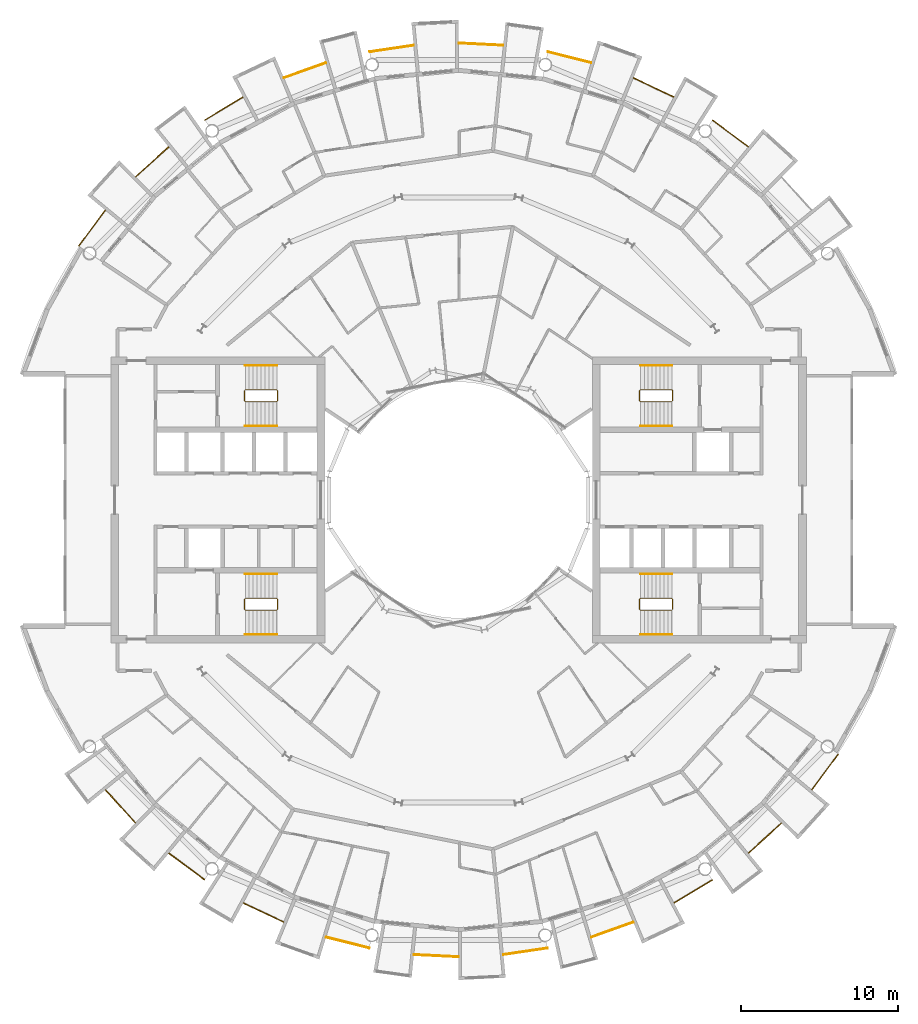
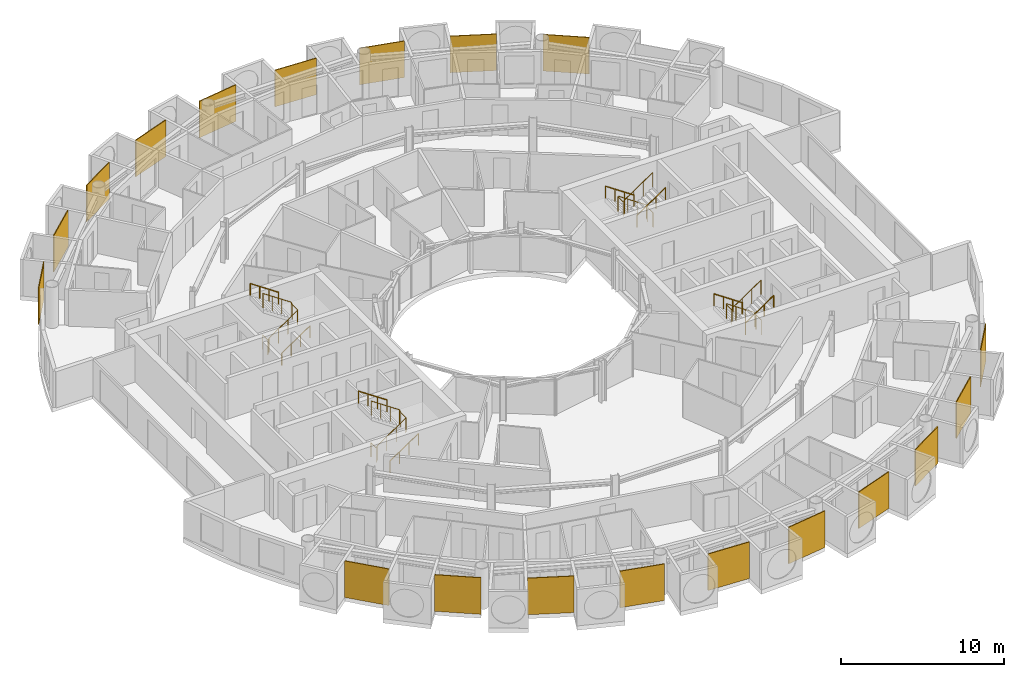
# One storey, part 26 of 27: 31 railings.
"""IFC4 building model written with IfcOpenShell, lengths in metres."""

from ifc_helpers import new_model, si_unit, direction, frame, origin, origin_2d, place, context, subcontext, project, spatial, polyline, circle, outline, extrude, material, layer, layer_set, type_object, element, save


model = new_model("IFC4")

# Units and contexts
model_context = context("Model", 3, precision=1e-05, world=origin(), true_north=direction((0.0, 1.0)))
body_context = subcontext(model_context, "Body", "Model", "MODEL_VIEW")
ifc_project = project(units=[si_unit("LENGTHUNIT", "METRE"), si_unit("AREAUNIT", "SQUARE_METRE"), si_unit("VOLUMEUNIT", "CUBIC_METRE"), si_unit("PLANEANGLEUNIT", "RADIAN"), si_unit("MASSUNIT", "GRAM", prefix="KILO")], contexts=[model_context])

# Site, building, storey
site_placement = place(None, origin())
site = spatial("IfcSite", under=ifc_project, at=site_placement, CompositionType="ELEMENT")
building_placement = place(site_placement, origin())
building = spatial("IfcBuilding", under=site, at=building_placement, Name="Maasbend Ring Residences", CompositionType="ELEMENT")
storey_placement = place(building_placement, frame((0.0, 0.0, 145.199951171875)))
storey = spatial("IfcBuildingStorey", under=building, at=storey_placement, Name="L41", CompositionType="ELEMENT", Elevation=145.199951171875)

# Railings
ifc_material_1 = material(Name="Pale anodised perforated aluminium", Category="aluminium")
ifc_layer = layer(ifc_material_1, 0.06005859375)
ifc_layer_set = layer_set([ifc_layer], Name="SCREEN-P")
railing_type_1 = type_object("IfcRailingType", Name="SCREEN-P", PredefinedType="GUARDRAIL", material=ifc_layer_set)
railing_1_placement = place(storey_placement, frame((0.0, 0.0, -0.030029296875)))
element("IfcRailing", 1, at=railing_1_placement, inside=storey, type_object=railing_type_1, Name="Perforated screen guard 2", PredefinedType="GUARDRAIL", context=body_context, shape_type="SweptSolid", body=[
    extrude(outline(polyline([(18.39697265625, 22.4169921875), (16.112060546875, 24.113037109375), (16.14697265625, 24.160888671875), (18.43310546875, 22.465087890625), (18.39697265625, 22.4169921875)])), origin(), (0.0, 0.0, 1.0), 2.72998046875),
])
railing_2_placement = place(storey_placement, frame((0.0, 0.0, -0.030029296875)))
element("IfcRailing", 2, at=railing_2_placement, inside=storey, type_object=railing_type_1, Name="Perforated screen guard 3", PredefinedType="GUARDRAIL", context=body_context, shape_type="SweptSolid", body=[
    extrude(outline(polyline([(13.6708984375, 25.575927734375), (11.097900390625, 26.79296875), (11.123046875, 26.846923828125), (13.696044921875, 25.6298828125), (13.6708984375, 25.575927734375)])), origin(), (0.0, 0.0, 1.0), 2.72998046875),
])
railing_3_placement = place(storey_placement, frame((0.0, 0.0, -0.030029296875)))
element("IfcRailing", 3, at=railing_3_placement, inside=storey, type_object=railing_type_1, Name="Perforated screen guard 4", PredefinedType="GUARDRAIL", context=body_context, shape_type="SweptSolid", body=[
    extrude(outline(polyline([(8.41796875, 27.7509765625), (5.657958984375, 28.443115234375), (5.672119140625, 28.5009765625), (8.43310546875, 27.80908203125), (8.41796875, 27.7509765625)])), origin(), (0.0, 0.0, 1.0), 2.72998046875),
])
railing_4_placement = place(storey_placement, frame((0.0, 0.0, -0.030029296875)))
element("IfcRailing", 4, at=railing_4_placement, inside=storey, type_object=railing_type_1, Name="Perforated screen guard 5", PredefinedType="GUARDRAIL", context=body_context, shape_type="SweptSolid", body=[
    extrude(outline(polyline([(2.842041015625, 28.860107421875), (0.0, 29.0), (0.0029296875, 29.06005859375), (2.844970703125, 28.919921875), (2.842041015625, 28.860107421875)])), origin(), (0.0, 0.0, 1.0), 2.72998046875),
])
railing_5_placement = place(storey_placement, frame((0.0, 0.0, -0.030029296875)))
element("IfcRailing", 5, at=railing_5_placement, inside=storey, type_object=railing_type_1, Name="Perforated screen guard 6", PredefinedType="GUARDRAIL", context=body_context, shape_type="SweptSolid", body=[
    extrude(outline(polyline([(-2.842041015625, 28.860107421875), (-5.657958984375, 28.443115234375), (-5.666015625, 28.501953125), (-2.85107421875, 28.919921875), (-2.842041015625, 28.860107421875)])), origin(), (0.0, 0.0, 1.0), 2.72998046875),
])
railing_6_placement = place(storey_placement, frame((0.0, 0.0, -0.030029296875)))
element("IfcRailing", 6, at=railing_6_placement, inside=storey, type_object=railing_type_1, Name="Perforated screen guard 7", PredefinedType="GUARDRAIL", context=body_context, shape_type="SweptSolid", body=[
    extrude(outline(polyline([(-8.41796875, 27.7509765625), (-11.097900390625, 26.79296875), (-11.117919921875, 26.84912109375), (-8.43798828125, 27.80810546875), (-8.41796875, 27.7509765625)])), origin(), (0.0, 0.0, 1.0), 2.72998046875),
])
railing_7_placement = place(storey_placement, frame((0.0, 0.0, -0.030029296875)))
element("IfcRailing", 7, at=railing_7_placement, inside=storey, type_object=railing_type_1, Name="Perforated screen guard 8", PredefinedType="GUARDRAIL", context=body_context, shape_type="SweptSolid", body=[
    extrude(outline(polyline([(-13.6708984375, 25.575927734375), (-16.112060546875, 24.113037109375), (-16.14208984375, 24.1640625), (-13.700927734375, 25.626953125), (-13.6708984375, 25.575927734375)])), origin(), (0.0, 0.0, 1.0), 2.72998046875),
])
railing_8_placement = place(storey_placement, frame((0.0, 0.0, -0.030029296875)))
element("IfcRailing", 8, at=railing_8_placement, inside=storey, type_object=railing_type_1, Name="Perforated screen guard 9", PredefinedType="GUARDRAIL", context=body_context, shape_type="SweptSolid", body=[
    extrude(outline(polyline([(-18.39697265625, 22.4169921875), (-20.506103515625, 20.506103515625), (-20.5458984375, 20.551025390625), (-18.43798828125, 22.4619140625), (-18.39697265625, 22.4169921875)])), origin(), (0.0, 0.0, 1.0), 2.72998046875),
])
railing_9_placement = place(storey_placement, frame((0.0, 0.0, -0.030029296875)))
element("IfcRailing", 9, at=railing_9_placement, inside=storey, type_object=railing_type_1, Name="Perforated screen guard 10", PredefinedType="GUARDRAIL", context=body_context, shape_type="SweptSolid", body=[
    extrude(outline(polyline([(-22.4169921875, 18.39697265625), (-24.113037109375, 16.112060546875), (-24.160888671875, 16.14697265625), (-22.465087890625, 18.43310546875), (-22.4169921875, 18.39697265625)])), origin(), (0.0, 0.0, 1.0), 2.72998046875),
])
railing_10_placement = place(storey_placement, frame((0.0, 0.0, -0.030029296875)))
element("IfcRailing", 10, at=railing_10_placement, inside=storey, type_object=railing_type_1, Name="Perforated screen guard 1", PredefinedType="GUARDRAIL", context=body_context, shape_type="SweptSolid", body=[
    extrude(outline(polyline([(-22.4169921875, -18.39697265625), (-20.506103515625, -20.506103515625), (-20.551025390625, -20.5458984375), (-22.4619140625, -18.43798828125), (-22.4169921875, -18.39697265625)])), origin(), (0.0, 0.0, 1.0), 2.72998046875),
])
railing_11_placement = place(storey_placement, frame((0.0, 0.0, -0.030029296875)))
element("IfcRailing", 11, at=railing_11_placement, inside=storey, type_object=railing_type_1, Name="Perforated screen guard 2", PredefinedType="GUARDRAIL", context=body_context, shape_type="SweptSolid", body=[
    extrude(outline(polyline([(-18.39697265625, -22.4169921875), (-16.112060546875, -24.113037109375), (-16.14697265625, -24.160888671875), (-18.43310546875, -22.465087890625), (-18.39697265625, -22.4169921875)])), origin(), (0.0, 0.0, 1.0), 2.72998046875),
])
railing_12_placement = place(storey_placement, frame((0.0, 0.0, -0.030029296875)))
element("IfcRailing", 12, at=railing_12_placement, inside=storey, type_object=railing_type_1, Name="Perforated screen guard 3", PredefinedType="GUARDRAIL", context=body_context, shape_type="SweptSolid", body=[
    extrude(outline(polyline([(-13.6708984375, -25.575927734375), (-11.097900390625, -26.79296875), (-11.123046875, -26.846923828125), (-13.696044921875, -25.6298828125), (-13.6708984375, -25.575927734375)])), origin(), (0.0, 0.0, 1.0), 2.72998046875),
])
railing_13_placement = place(storey_placement, frame((0.0, 0.0, -0.030029296875)))
element("IfcRailing", 13, at=railing_13_placement, inside=storey, type_object=railing_type_1, Name="Perforated screen guard 4", PredefinedType="GUARDRAIL", context=body_context, shape_type="SweptSolid", body=[
    extrude(outline(polyline([(-8.41796875, -27.7509765625), (-5.657958984375, -28.443115234375), (-5.672119140625, -28.5009765625), (-8.43310546875, -27.80908203125), (-8.41796875, -27.7509765625)])), origin(), (0.0, 0.0, 1.0), 2.72998046875),
])
railing_14_placement = place(storey_placement, frame((0.0, 0.0, -0.030029296875)))
element("IfcRailing", 14, at=railing_14_placement, inside=storey, type_object=railing_type_1, Name="Perforated screen guard 5", PredefinedType="GUARDRAIL", context=body_context, shape_type="SweptSolid", body=[
    extrude(outline(polyline([(-2.842041015625, -28.860107421875), (0.0, -29.0), (-0.0029296875, -29.06005859375), (-2.844970703125, -28.919921875), (-2.842041015625, -28.860107421875)])), origin(), (0.0, 0.0, 1.0), 2.72998046875),
])
railing_15_placement = place(storey_placement, frame((0.0, 0.0, -0.030029296875)))
element("IfcRailing", 15, at=railing_15_placement, inside=storey, type_object=railing_type_1, Name="Perforated screen guard 6", PredefinedType="GUARDRAIL", context=body_context, shape_type="SweptSolid", body=[
    extrude(outline(polyline([(2.842041015625, -28.860107421875), (5.657958984375, -28.443115234375), (5.666015625, -28.501953125), (2.85107421875, -28.919921875), (2.842041015625, -28.860107421875)])), origin(), (0.0, 0.0, 1.0), 2.72998046875),
])
railing_16_placement = place(storey_placement, frame((0.0, 0.0, -0.030029296875)))
element("IfcRailing", 16, at=railing_16_placement, inside=storey, type_object=railing_type_1, Name="Perforated screen guard 7", PredefinedType="GUARDRAIL", context=body_context, shape_type="SweptSolid", body=[
    extrude(outline(polyline([(8.41796875, -27.7509765625), (11.097900390625, -26.79296875), (11.117919921875, -26.84912109375), (8.43798828125, -27.80810546875), (8.41796875, -27.7509765625)])), origin(), (0.0, 0.0, 1.0), 2.72998046875),
])
railing_17_placement = place(storey_placement, frame((0.0, 0.0, -0.030029296875)))
element("IfcRailing", 17, at=railing_17_placement, inside=storey, type_object=railing_type_1, Name="Perforated screen guard 8", PredefinedType="GUARDRAIL", context=body_context, shape_type="SweptSolid", body=[
    extrude(outline(polyline([(13.6708984375, -25.575927734375), (16.112060546875, -24.113037109375), (16.14208984375, -24.1640625), (13.700927734375, -25.626953125), (13.6708984375, -25.575927734375)])), origin(), (0.0, 0.0, 1.0), 2.72998046875),
])
railing_18_placement = place(storey_placement, frame((0.0, 0.0, -0.030029296875)))
element("IfcRailing", 18, at=railing_18_placement, inside=storey, type_object=railing_type_1, Name="Perforated screen guard 9", PredefinedType="GUARDRAIL", context=body_context, shape_type="SweptSolid", body=[
    extrude(outline(polyline([(18.39697265625, -22.4169921875), (20.506103515625, -20.506103515625), (20.5458984375, -20.551025390625), (18.43798828125, -22.4619140625), (18.39697265625, -22.4169921875)])), origin(), (0.0, 0.0, 1.0), 2.72998046875),
])
railing_19_placement = place(storey_placement, frame((0.0, 0.0, -0.030029296875)))
element("IfcRailing", 19, at=railing_19_placement, inside=storey, type_object=railing_type_1, Name="Perforated screen guard 10", PredefinedType="GUARDRAIL", context=body_context, shape_type="SweptSolid", body=[
    extrude(outline(polyline([(22.4169921875, -18.39697265625), (24.113037109375, -16.112060546875), (24.160888671875, -16.14697265625), (22.465087890625, -18.43310546875), (22.4169921875, -18.39697265625)])), origin(), (0.0, 0.0, 1.0), 2.72998046875),
])
ifc_material_2 = material(Name="Stainless steel 316", Category="steel")
railing_type_2 = type_object("IfcRailingType", Name="STAIR GUARD 1100", PredefinedType="GUARDRAIL", material=ifc_material_2)
railing_20_placement = place(storey_placement, frame((13.60009765625, 6.300048828125, 0.0)))
element("IfcRailing", 20, at=railing_20_placement, inside=storey, type_object=railing_type_2, Name="L41 ST-E1 stair guard 1", PredefinedType="GUARDRAIL", context=body_context, shape_type="SweptSolid", body=[
    extrude(circle(Radius=0.02392578125, at=origin_2d()), frame((0.0, 0.0, 1.076171875), z_axis=(0.0, 1.0, 0.0), x_axis=(-1.0, 0.0, 0.0)), (0.0, 0.0, 1.0), 0.64990234375),
    extrude(circle(Radius=0.02392578125, at=origin_2d()), frame((0.0, 0.64990234375, 1.076171875), z_axis=(-0.272562526181, 0.272562526181, 0.92272386912), x_axis=(-0.707106781187, -0.707106781187, 0.0)), (0.0, 0.0, 1.0), 0.18359375),
    extrude(circle(Radius=0.02392578125, at=origin_2d()), frame((-0.050048828125, 0.699951171875, 1.24560546875), z_axis=(-0.827750655447, 0.0, 0.561096116906), x_axis=(0.0, -1.0, 0.0)), (0.0, 0.0, 1.0), 2.416259765625),
    extrude(circle(Radius=0.02392578125, at=origin_2d()), frame((-2.050048828125, 0.699951171875, 2.60107421875), z_axis=(-0.707106781187, -0.707106781187, 0.0), x_axis=(0.707106781187, -0.707106781187, 0.0)), (0.0, 0.0, 1.0), 0.07080078125),
    extrude(circle(Radius=0.02392578125, at=origin_2d()), frame((-2.10009765625, 0.64990234375, 2.60107421875), z_axis=(0.0, -1.0, 0.0), x_axis=(1.0, 0.0, 0.0)), (0.0, 0.0, 1.0), 0.64990234375),
    extrude(circle(Radius=0.02392578125, at=origin_2d()), frame((-2.10009765625, 0.0, 2.60107421875), z_axis=(0.272562526181, -0.272562526181, 0.92272386912), x_axis=(0.707106781187, 0.707106781187, 0.0)), (0.0, 0.0, 1.0), 0.18359375),
    extrude(circle(Radius=0.02392578125, at=origin_2d()), frame((-2.050048828125, -0.050048828125, 2.7705078125), z_axis=(0.827797584762, 0.0, 0.561026878735), x_axis=(0.0, 1.0, 0.0)), (0.0, 0.0, 1.0), 2.416015625),
    extrude(circle(Radius=0.02099609375, at=origin_2d()), origin(), (0.0, 0.0, 1.0), 1.052001953125),
    extrude(circle(Radius=0.02099609375, at=origin_2d()), frame((0.0, 0.64990234375, 0.0)), (0.0, 0.0, 1.0), 1.052001953125),
    extrude(circle(Radius=0.02099609375, at=origin_2d()), frame((-0.050048828125, 0.699951171875, 0.16943359375)), (0.0, 0.0, 1.0), 1.052001953125),
    extrude(circle(Radius=0.02099609375, at=origin_2d()), frame((-0.716796875, 0.699951171875, 0.621337890625)), (0.0, 0.0, 1.0), 1.052001953125),
    extrude(circle(Radius=0.02099609375, at=origin_2d()), frame((-1.38330078125, 0.699951171875, 1.0732421875)), (0.0, 0.0, 1.0), 1.052001953125),
    extrude(circle(Radius=0.02099609375, at=origin_2d()), frame((-2.050048828125, 0.699951171875, 1.525146484375)), (0.0, 0.0, 1.0), 1.052001953125),
    extrude(circle(Radius=0.02099609375, at=origin_2d()), frame((-2.10009765625, 0.64990234375, 1.525146484375)), (0.0, 0.0, 1.0), 1.052001953125),
    extrude(circle(Radius=0.02099609375, at=origin_2d()), frame((-2.10009765625, 0.0, 1.525146484375)), (0.0, 0.0, 1.0), 1.052001953125),
    extrude(circle(Radius=0.02099609375, at=origin_2d()), frame((-2.050048828125, -0.050048828125, 1.694580078125)), (0.0, 0.0, 1.0), 1.052001953125),
    extrude(circle(Radius=0.02099609375, at=origin_2d()), frame((-1.38330078125, -0.050048828125, 2.146484375)), (0.0, 0.0, 1.0), 1.052001953125),
    extrude(circle(Radius=0.02099609375, at=origin_2d()), frame((-0.716796875, -0.050048828125, 2.59814453125)), (0.0, 0.0, 1.0), 1.052001953125),
    extrude(circle(Radius=0.02099609375, at=origin_2d()), frame((-0.050048828125, -0.050048828125, 3.050048828125)), (0.0, 0.0, 1.0), 1.052001953125),
])
railing_21_placement = place(storey_placement, frame((13.60009765625, -6.949951171875, 0.0)))
element("IfcRailing", 21, at=railing_21_placement, inside=storey, type_object=railing_type_2, Name="L41 ST-E2 stair guard 1", PredefinedType="GUARDRAIL", context=body_context, shape_type="SweptSolid", body=[
    extrude(circle(Radius=0.02392578125, at=origin_2d()), frame((0.0, 0.0, 1.076171875), z_axis=(0.0, 1.0, 0.0), x_axis=(-1.0, 0.0, 0.0)), (0.0, 0.0, 1.0), 0.64990234375),
    extrude(circle(Radius=0.02392578125, at=origin_2d()), frame((0.0, 0.64990234375, 1.076171875), z_axis=(-0.272562526181, 0.272562526181, 0.92272386912), x_axis=(-0.707106781187, -0.707106781187, 0.0)), (0.0, 0.0, 1.0), 0.18359375),
    extrude(circle(Radius=0.02392578125, at=origin_2d()), frame((-0.050048828125, 0.699951171875, 1.24560546875), z_axis=(-0.827750655447, 0.0, 0.561096116906), x_axis=(0.0, -1.0, 0.0)), (0.0, 0.0, 1.0), 2.416259765625),
    extrude(circle(Radius=0.02392578125, at=origin_2d()), frame((-2.050048828125, 0.699951171875, 2.60107421875), z_axis=(-0.707106781187, -0.707106781187, 0.0), x_axis=(0.707106781187, -0.707106781187, 0.0)), (0.0, 0.0, 1.0), 0.07080078125),
    extrude(circle(Radius=0.02392578125, at=origin_2d()), frame((-2.10009765625, 0.64990234375, 2.60107421875), z_axis=(0.0, -1.0, 0.0), x_axis=(1.0, 0.0, 0.0)), (0.0, 0.0, 1.0), 0.64990234375),
    extrude(circle(Radius=0.02392578125, at=origin_2d()), frame((-2.10009765625, 0.0, 2.60107421875), z_axis=(0.272562526181, -0.272562526181, 0.92272386912), x_axis=(0.707106781187, 0.707106781187, 0.0)), (0.0, 0.0, 1.0), 0.18359375),
    extrude(circle(Radius=0.02392578125, at=origin_2d()), frame((-2.050048828125, -0.050048828125, 2.7705078125), z_axis=(0.827797584762, 0.0, 0.561026878735), x_axis=(0.0, 1.0, 0.0)), (0.0, 0.0, 1.0), 2.416015625),
    extrude(circle(Radius=0.02099609375, at=origin_2d()), origin(), (0.0, 0.0, 1.0), 1.052001953125),
    extrude(circle(Radius=0.02099609375, at=origin_2d()), frame((0.0, 0.64990234375, 0.0)), (0.0, 0.0, 1.0), 1.052001953125),
    extrude(circle(Radius=0.02099609375, at=origin_2d()), frame((-0.050048828125, 0.699951171875, 0.16943359375)), (0.0, 0.0, 1.0), 1.052001953125),
    extrude(circle(Radius=0.02099609375, at=origin_2d()), frame((-0.716796875, 0.699951171875, 0.621337890625)), (0.0, 0.0, 1.0), 1.052001953125),
    extrude(circle(Radius=0.02099609375, at=origin_2d()), frame((-1.38330078125, 0.699951171875, 1.0732421875)), (0.0, 0.0, 1.0), 1.052001953125),
    extrude(circle(Radius=0.02099609375, at=origin_2d()), frame((-2.050048828125, 0.699951171875, 1.525146484375)), (0.0, 0.0, 1.0), 1.052001953125),
    extrude(circle(Radius=0.02099609375, at=origin_2d()), frame((-2.10009765625, 0.64990234375, 1.525146484375)), (0.0, 0.0, 1.0), 1.052001953125),
    extrude(circle(Radius=0.02099609375, at=origin_2d()), frame((-2.10009765625, 0.0, 1.525146484375)), (0.0, 0.0, 1.0), 1.052001953125),
    extrude(circle(Radius=0.02099609375, at=origin_2d()), frame((-2.050048828125, -0.050048828125, 1.694580078125)), (0.0, 0.0, 1.0), 1.052001953125),
    extrude(circle(Radius=0.02099609375, at=origin_2d()), frame((-1.38330078125, -0.050048828125, 2.146484375)), (0.0, 0.0, 1.0), 1.052001953125),
    extrude(circle(Radius=0.02099609375, at=origin_2d()), frame((-0.716796875, -0.050048828125, 2.59814453125)), (0.0, 0.0, 1.0), 1.052001953125),
    extrude(circle(Radius=0.02099609375, at=origin_2d()), frame((-0.050048828125, -0.050048828125, 3.050048828125)), (0.0, 0.0, 1.0), 1.052001953125),
])
railing_22_placement = place(storey_placement, frame((-13.60009765625, -6.300048828125, 0.0)))
element("IfcRailing", 22, at=railing_22_placement, inside=storey, type_object=railing_type_2, Name="L41 ST-W1 stair guard 1", PredefinedType="GUARDRAIL", context=body_context, shape_type="SweptSolid", body=[
    extrude(circle(Radius=0.02392578125, at=origin_2d()), frame((0.0, 0.0, 1.076171875), z_axis=(0.0, -1.0, 0.0), x_axis=(1.0, 0.0, 0.0)), (0.0, 0.0, 1.0), 0.64990234375),
    extrude(circle(Radius=0.02392578125, at=origin_2d()), frame((0.0, -0.64990234375, 1.076171875), z_axis=(0.272562526181, -0.272562526181, 0.92272386912), x_axis=(0.707106781187, 0.707106781187, 0.0)), (0.0, 0.0, 1.0), 0.18359375),
    extrude(circle(Radius=0.02392578125, at=origin_2d()), frame((0.050048828125, -0.699951171875, 1.24560546875), z_axis=(0.827750655447, 0.0, 0.561096116906), x_axis=(0.0, 1.0, 0.0)), (0.0, 0.0, 1.0), 2.416259765625),
    extrude(circle(Radius=0.02392578125, at=origin_2d()), frame((2.050048828125, -0.699951171875, 2.60107421875), z_axis=(0.707106781187, 0.707106781187, 0.0), x_axis=(-0.707106781187, 0.707106781187, 0.0)), (0.0, 0.0, 1.0), 0.07080078125),
    extrude(circle(Radius=0.02392578125, at=origin_2d()), frame((2.10009765625, -0.64990234375, 2.60107421875), z_axis=(0.0, 1.0, 0.0), x_axis=(-1.0, 0.0, 0.0)), (0.0, 0.0, 1.0), 0.64990234375),
    extrude(circle(Radius=0.02392578125, at=origin_2d()), frame((2.10009765625, 0.0, 2.60107421875), z_axis=(-0.272562526181, 0.272562526181, 0.92272386912), x_axis=(-0.707106781187, -0.707106781187, 0.0)), (0.0, 0.0, 1.0), 0.18359375),
    extrude(circle(Radius=0.02392578125, at=origin_2d()), frame((2.050048828125, 0.050048828125, 2.7705078125), z_axis=(-0.827797584762, 0.0, 0.561026878735), x_axis=(0.0, -1.0, 0.0)), (0.0, 0.0, 1.0), 2.416015625),
    extrude(circle(Radius=0.02099609375, at=origin_2d()), origin(), (0.0, 0.0, 1.0), 1.052001953125),
    extrude(circle(Radius=0.02099609375, at=origin_2d()), frame((0.0, -0.64990234375, 0.0)), (0.0, 0.0, 1.0), 1.052001953125),
    extrude(circle(Radius=0.02099609375, at=origin_2d()), frame((0.050048828125, -0.699951171875, 0.16943359375)), (0.0, 0.0, 1.0), 1.052001953125),
    extrude(circle(Radius=0.02099609375, at=origin_2d()), frame((0.716796875, -0.699951171875, 0.621337890625)), (0.0, 0.0, 1.0), 1.052001953125),
    extrude(circle(Radius=0.02099609375, at=origin_2d()), frame((1.38330078125, -0.699951171875, 1.0732421875)), (0.0, 0.0, 1.0), 1.052001953125),
    extrude(circle(Radius=0.02099609375, at=origin_2d()), frame((2.050048828125, -0.699951171875, 1.525146484375)), (0.0, 0.0, 1.0), 1.052001953125),
    extrude(circle(Radius=0.02099609375, at=origin_2d()), frame((2.10009765625, -0.64990234375, 1.525146484375)), (0.0, 0.0, 1.0), 1.052001953125),
    extrude(circle(Radius=0.02099609375, at=origin_2d()), frame((2.10009765625, 0.0, 1.525146484375)), (0.0, 0.0, 1.0), 1.052001953125),
    extrude(circle(Radius=0.02099609375, at=origin_2d()), frame((2.050048828125, 0.050048828125, 1.694580078125)), (0.0, 0.0, 1.0), 1.052001953125),
    extrude(circle(Radius=0.02099609375, at=origin_2d()), frame((1.38330078125, 0.050048828125, 2.146484375)), (0.0, 0.0, 1.0), 1.052001953125),
    extrude(circle(Radius=0.02099609375, at=origin_2d()), frame((0.716796875, 0.050048828125, 2.59814453125)), (0.0, 0.0, 1.0), 1.052001953125),
    extrude(circle(Radius=0.02099609375, at=origin_2d()), frame((0.050048828125, 0.050048828125, 3.050048828125)), (0.0, 0.0, 1.0), 1.052001953125),
])
railing_23_placement = place(storey_placement, frame((-13.60009765625, 6.949951171875, 0.0)))
element("IfcRailing", 23, at=railing_23_placement, inside=storey, type_object=railing_type_2, Name="L41 ST-W2 stair guard 1", PredefinedType="GUARDRAIL", context=body_context, shape_type="SweptSolid", body=[
    extrude(circle(Radius=0.02392578125, at=origin_2d()), frame((0.0, 0.0, 1.076171875), z_axis=(0.0, -1.0, 0.0), x_axis=(1.0, 0.0, 0.0)), (0.0, 0.0, 1.0), 0.64990234375),
    extrude(circle(Radius=0.02392578125, at=origin_2d()), frame((0.0, -0.64990234375, 1.076171875), z_axis=(0.272562526181, -0.272562526181, 0.92272386912), x_axis=(0.707106781187, 0.707106781187, 0.0)), (0.0, 0.0, 1.0), 0.18359375),
    extrude(circle(Radius=0.02392578125, at=origin_2d()), frame((0.050048828125, -0.699951171875, 1.24560546875), z_axis=(0.827750655447, 0.0, 0.561096116906), x_axis=(0.0, 1.0, 0.0)), (0.0, 0.0, 1.0), 2.416259765625),
    extrude(circle(Radius=0.02392578125, at=origin_2d()), frame((2.050048828125, -0.699951171875, 2.60107421875), z_axis=(0.707106781187, 0.707106781187, 0.0), x_axis=(-0.707106781187, 0.707106781187, 0.0)), (0.0, 0.0, 1.0), 0.07080078125),
    extrude(circle(Radius=0.02392578125, at=origin_2d()), frame((2.10009765625, -0.64990234375, 2.60107421875), z_axis=(0.0, 1.0, 0.0), x_axis=(-1.0, 0.0, 0.0)), (0.0, 0.0, 1.0), 0.64990234375),
    extrude(circle(Radius=0.02392578125, at=origin_2d()), frame((2.10009765625, 0.0, 2.60107421875), z_axis=(-0.272562526181, 0.272562526181, 0.92272386912), x_axis=(-0.707106781187, -0.707106781187, 0.0)), (0.0, 0.0, 1.0), 0.18359375),
    extrude(circle(Radius=0.02392578125, at=origin_2d()), frame((2.050048828125, 0.050048828125, 2.7705078125), z_axis=(-0.827797584762, 0.0, 0.561026878735), x_axis=(0.0, -1.0, 0.0)), (0.0, 0.0, 1.0), 2.416015625),
    extrude(circle(Radius=0.02099609375, at=origin_2d()), origin(), (0.0, 0.0, 1.0), 1.052001953125),
    extrude(circle(Radius=0.02099609375, at=origin_2d()), frame((0.0, -0.64990234375, 0.0)), (0.0, 0.0, 1.0), 1.052001953125),
    extrude(circle(Radius=0.02099609375, at=origin_2d()), frame((0.050048828125, -0.699951171875, 0.16943359375)), (0.0, 0.0, 1.0), 1.052001953125),
    extrude(circle(Radius=0.02099609375, at=origin_2d()), frame((0.716796875, -0.699951171875, 0.621337890625)), (0.0, 0.0, 1.0), 1.052001953125),
    extrude(circle(Radius=0.02099609375, at=origin_2d()), frame((1.38330078125, -0.699951171875, 1.0732421875)), (0.0, 0.0, 1.0), 1.052001953125),
    extrude(circle(Radius=0.02099609375, at=origin_2d()), frame((2.050048828125, -0.699951171875, 1.525146484375)), (0.0, 0.0, 1.0), 1.052001953125),
    extrude(circle(Radius=0.02099609375, at=origin_2d()), frame((2.10009765625, -0.64990234375, 1.525146484375)), (0.0, 0.0, 1.0), 1.052001953125),
    extrude(circle(Radius=0.02099609375, at=origin_2d()), frame((2.10009765625, 0.0, 1.525146484375)), (0.0, 0.0, 1.0), 1.052001953125),
    extrude(circle(Radius=0.02099609375, at=origin_2d()), frame((2.050048828125, 0.050048828125, 1.694580078125)), (0.0, 0.0, 1.0), 1.052001953125),
    extrude(circle(Radius=0.02099609375, at=origin_2d()), frame((1.38330078125, 0.050048828125, 2.146484375)), (0.0, 0.0, 1.0), 1.052001953125),
    extrude(circle(Radius=0.02099609375, at=origin_2d()), frame((0.716796875, 0.050048828125, 2.59814453125)), (0.0, 0.0, 1.0), 1.052001953125),
    extrude(circle(Radius=0.02099609375, at=origin_2d()), frame((0.050048828125, 0.050048828125, 3.050048828125)), (0.0, 0.0, 1.0), 1.052001953125),
])
ifc_material_3 = material(Name="Stainless steel 316", Category="steel")
railing_type_3 = type_object("IfcRailingType", Name="STAIR HANDRAIL 900", PredefinedType="HANDRAIL", material=ifc_material_3)
railing_24_placement = place(storey_placement, frame((13.550048828125, 8.550048828125, 0.16943359375)))
element("IfcRailing", 24, at=railing_24_placement, inside=storey, type_object=railing_type_3, Name="L41 ST-E1 stair handrail 1", PredefinedType="HANDRAIL", context=body_context, shape_type="SweptSolid", body=[
    extrude(circle(Radius=0.02392578125, at=origin_2d()), frame((0.0, 0.0, 0.8759765625), z_axis=(-0.827750655447, 0.0, 0.561096116906), x_axis=(0.0, -1.0, 0.0)), (0.0, 0.0, 1.0), 2.416259765625),
    extrude(circle(Radius=0.02099609375, at=origin_2d()), origin(), (0.0, 0.0, 1.0), 0.851806640625),
    extrude(circle(Radius=0.02099609375, at=origin_2d()), frame((-0.666748046875, 0.0, 0.451904296875)), (0.0, 0.0, 1.0), 0.851806640625),
    extrude(circle(Radius=0.02099609375, at=origin_2d()), frame((-1.333251953125, 0.0, 0.90380859375)), (0.0, 0.0, 1.0), 0.851806640625),
    extrude(circle(Radius=0.02099609375, at=origin_2d()), frame((-2.0, 0.0, 1.355712890625)), (0.0, 0.0, 1.0), 0.851806640625),
])
railing_25_placement = place(storey_placement, frame((11.550048828125, 4.699951171875, 1.694580078125)))
element("IfcRailing", 25, at=railing_25_placement, inside=storey, type_object=railing_type_3, Name="L41 ST-E1 stair handrail 2", PredefinedType="HANDRAIL", context=body_context, shape_type="SweptSolid", body=[
    extrude(circle(Radius=0.02392578125, at=origin_2d()), frame((0.0, 0.0, 0.8759765625), z_axis=(0.827797584762, 0.0, 0.561026878735), x_axis=(0.0, 1.0, 0.0)), (0.0, 0.0, 1.0), 2.416015625),
    extrude(circle(Radius=0.02099609375, at=origin_2d()), origin(), (0.0, 0.0, 1.0), 0.851806640625),
    extrude(circle(Radius=0.02099609375, at=origin_2d()), frame((0.666748046875, 0.0, 0.451904296875)), (0.0, 0.0, 1.0), 0.851806640625),
    extrude(circle(Radius=0.02099609375, at=origin_2d()), frame((1.333251953125, 0.0, 0.903564453125)), (0.0, 0.0, 1.0), 0.851806640625),
    extrude(circle(Radius=0.02099609375, at=origin_2d()), frame((2.0, 0.0, 1.35546875)), (0.0, 0.0, 1.0), 0.851806640625),
])
railing_26_placement = place(storey_placement, frame((13.550048828125, -4.699951171875, 0.16943359375)))
element("IfcRailing", 26, at=railing_26_placement, inside=storey, type_object=railing_type_3, Name="L41 ST-E2 stair handrail 1", PredefinedType="HANDRAIL", context=body_context, shape_type="SweptSolid", body=[
    extrude(circle(Radius=0.02392578125, at=origin_2d()), frame((0.0, 0.0, 0.8759765625), z_axis=(-0.827750655447, 0.0, 0.561096116906), x_axis=(0.0, -1.0, 0.0)), (0.0, 0.0, 1.0), 2.416259765625),
    extrude(circle(Radius=0.02099609375, at=origin_2d()), origin(), (0.0, 0.0, 1.0), 0.851806640625),
    extrude(circle(Radius=0.02099609375, at=origin_2d()), frame((-0.666748046875, 0.0, 0.451904296875)), (0.0, 0.0, 1.0), 0.851806640625),
    extrude(circle(Radius=0.02099609375, at=origin_2d()), frame((-1.333251953125, 0.0, 0.90380859375)), (0.0, 0.0, 1.0), 0.851806640625),
    extrude(circle(Radius=0.02099609375, at=origin_2d()), frame((-2.0, 0.0, 1.355712890625)), (0.0, 0.0, 1.0), 0.851806640625),
])
railing_27_placement = place(storey_placement, frame((11.550048828125, -8.550048828125, 1.694580078125)))
element("IfcRailing", 27, at=railing_27_placement, inside=storey, type_object=railing_type_3, Name="L41 ST-E2 stair handrail 2", PredefinedType="HANDRAIL", context=body_context, shape_type="SweptSolid", body=[
    extrude(circle(Radius=0.02392578125, at=origin_2d()), frame((0.0, 0.0, 0.8759765625), z_axis=(0.827797584762, 0.0, 0.561026878735), x_axis=(0.0, 1.0, 0.0)), (0.0, 0.0, 1.0), 2.416015625),
    extrude(circle(Radius=0.02099609375, at=origin_2d()), origin(), (0.0, 0.0, 1.0), 0.851806640625),
    extrude(circle(Radius=0.02099609375, at=origin_2d()), frame((0.666748046875, 0.0, 0.451904296875)), (0.0, 0.0, 1.0), 0.851806640625),
    extrude(circle(Radius=0.02099609375, at=origin_2d()), frame((1.333251953125, 0.0, 0.903564453125)), (0.0, 0.0, 1.0), 0.851806640625),
    extrude(circle(Radius=0.02099609375, at=origin_2d()), frame((2.0, 0.0, 1.35546875)), (0.0, 0.0, 1.0), 0.851806640625),
])
railing_28_placement = place(storey_placement, frame((-13.550048828125, -8.550048828125, 0.16943359375)))
element("IfcRailing", 28, at=railing_28_placement, inside=storey, type_object=railing_type_3, Name="L41 ST-W1 stair handrail 1", PredefinedType="HANDRAIL", context=body_context, shape_type="SweptSolid", body=[
    extrude(circle(Radius=0.02392578125, at=origin_2d()), frame((0.0, 0.0, 0.8759765625), z_axis=(0.827750655447, 0.0, 0.561096116906), x_axis=(0.0, 1.0, 0.0)), (0.0, 0.0, 1.0), 2.416259765625),
    extrude(circle(Radius=0.02099609375, at=origin_2d()), origin(), (0.0, 0.0, 1.0), 0.851806640625),
    extrude(circle(Radius=0.02099609375, at=origin_2d()), frame((0.666748046875, 0.0, 0.451904296875)), (0.0, 0.0, 1.0), 0.851806640625),
    extrude(circle(Radius=0.02099609375, at=origin_2d()), frame((1.333251953125, 0.0, 0.90380859375)), (0.0, 0.0, 1.0), 0.851806640625),
    extrude(circle(Radius=0.02099609375, at=origin_2d()), frame((2.0, 0.0, 1.355712890625)), (0.0, 0.0, 1.0), 0.851806640625),
])
railing_29_placement = place(storey_placement, frame((-11.550048828125, -4.699951171875, 1.694580078125)))
element("IfcRailing", 29, at=railing_29_placement, inside=storey, type_object=railing_type_3, Name="L41 ST-W1 stair handrail 2", PredefinedType="HANDRAIL", context=body_context, shape_type="SweptSolid", body=[
    extrude(circle(Radius=0.02392578125, at=origin_2d()), frame((0.0, 0.0, 0.8759765625), z_axis=(-0.827797584762, 0.0, 0.561026878735), x_axis=(0.0, -1.0, 0.0)), (0.0, 0.0, 1.0), 2.416015625),
    extrude(circle(Radius=0.02099609375, at=origin_2d()), origin(), (0.0, 0.0, 1.0), 0.851806640625),
    extrude(circle(Radius=0.02099609375, at=origin_2d()), frame((-0.666748046875, 0.0, 0.451904296875)), (0.0, 0.0, 1.0), 0.851806640625),
    extrude(circle(Radius=0.02099609375, at=origin_2d()), frame((-1.333251953125, 0.0, 0.903564453125)), (0.0, 0.0, 1.0), 0.851806640625),
    extrude(circle(Radius=0.02099609375, at=origin_2d()), frame((-2.0, 0.0, 1.35546875)), (0.0, 0.0, 1.0), 0.851806640625),
])
railing_30_placement = place(storey_placement, frame((-13.550048828125, 4.699951171875, 0.16943359375)))
element("IfcRailing", 30, at=railing_30_placement, inside=storey, type_object=railing_type_3, Name="L41 ST-W2 stair handrail 1", PredefinedType="HANDRAIL", context=body_context, shape_type="SweptSolid", body=[
    extrude(circle(Radius=0.02392578125, at=origin_2d()), frame((0.0, 0.0, 0.8759765625), z_axis=(0.827750655447, 0.0, 0.561096116906), x_axis=(0.0, 1.0, 0.0)), (0.0, 0.0, 1.0), 2.416259765625),
    extrude(circle(Radius=0.02099609375, at=origin_2d()), origin(), (0.0, 0.0, 1.0), 0.851806640625),
    extrude(circle(Radius=0.02099609375, at=origin_2d()), frame((0.666748046875, 0.0, 0.451904296875)), (0.0, 0.0, 1.0), 0.851806640625),
    extrude(circle(Radius=0.02099609375, at=origin_2d()), frame((1.333251953125, 0.0, 0.90380859375)), (0.0, 0.0, 1.0), 0.851806640625),
    extrude(circle(Radius=0.02099609375, at=origin_2d()), frame((2.0, 0.0, 1.355712890625)), (0.0, 0.0, 1.0), 0.851806640625),
])
railing_31_placement = place(storey_placement, frame((-11.550048828125, 8.550048828125, 1.694580078125)))
element("IfcRailing", 31, at=railing_31_placement, inside=storey, type_object=railing_type_3, Name="L41 ST-W2 stair handrail 2", PredefinedType="HANDRAIL", context=body_context, shape_type="SweptSolid", body=[
    extrude(circle(Radius=0.02392578125, at=origin_2d()), frame((0.0, 0.0, 0.8759765625), z_axis=(-0.827797584762, 0.0, 0.561026878735), x_axis=(0.0, -1.0, 0.0)), (0.0, 0.0, 1.0), 2.416015625),
    extrude(circle(Radius=0.02099609375, at=origin_2d()), origin(), (0.0, 0.0, 1.0), 0.851806640625),
    extrude(circle(Radius=0.02099609375, at=origin_2d()), frame((-0.666748046875, 0.0, 0.451904296875)), (0.0, 0.0, 1.0), 0.851806640625),
    extrude(circle(Radius=0.02099609375, at=origin_2d()), frame((-1.333251953125, 0.0, 0.903564453125)), (0.0, 0.0, 1.0), 0.851806640625),
    extrude(circle(Radius=0.02099609375, at=origin_2d()), frame((-2.0, 0.0, 1.35546875)), (0.0, 0.0, 1.0), 0.851806640625),
])

save(model, "model.ifc")
